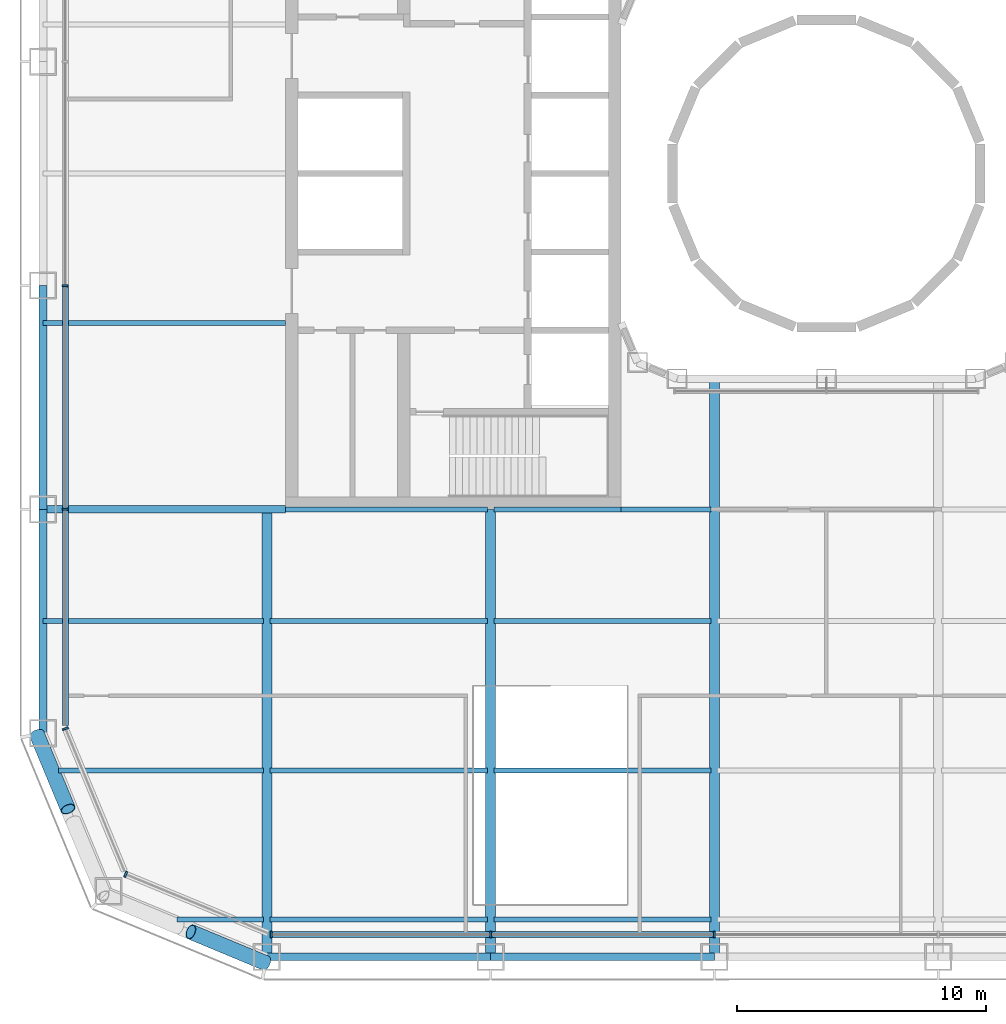
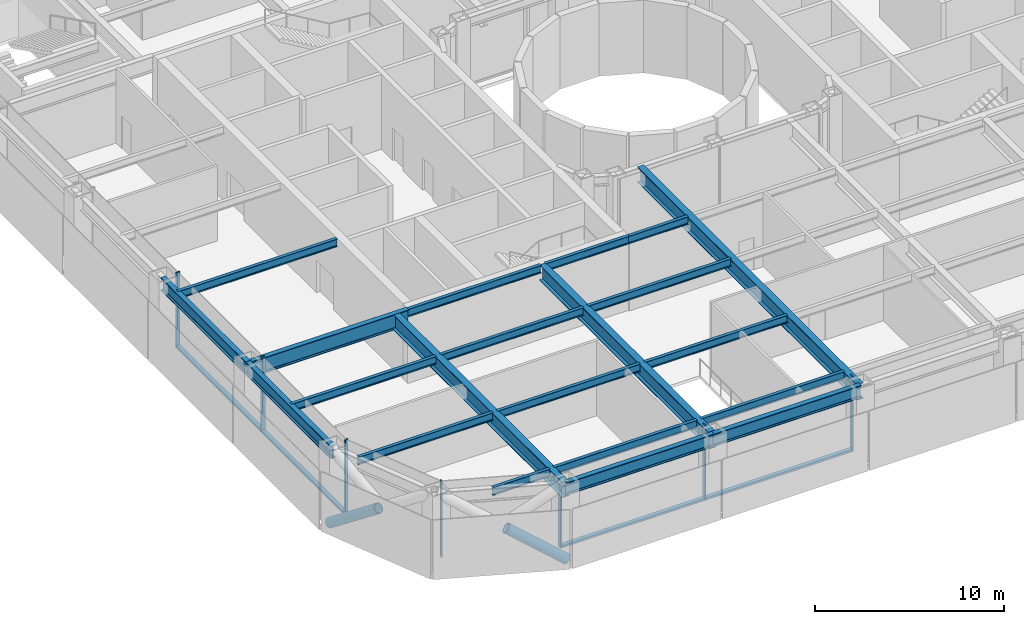
# One storey, part 2 of 24: 21 beams, 13 members, 4 elements without a shape of their own.
"""IFC4 building model written with IfcOpenShell, lengths in metres."""

from ifc_helpers import new_model, si_unit, direction, frame, origin, origin_2d, place, context, subcontext, project, spatial, rectangle, hollow_circle, i_section, extrude, material, layer, layer_set, material_profile, profile_set, type_object, element, aggregate, save


model = new_model("IFC4")

# Units and contexts
model_context = context("Model", 3, precision=1e-05, world=origin(), true_north=direction((0.0, 1.0)))
body_context = subcontext(model_context, "Body", "Model", "MODEL_VIEW")
ifc_project = project(units=[si_unit("LENGTHUNIT", "METRE"), si_unit("AREAUNIT", "SQUARE_METRE"), si_unit("VOLUMEUNIT", "CUBIC_METRE"), si_unit("PLANEANGLEUNIT", "RADIAN"), si_unit("MASSUNIT", "GRAM", prefix="KILO")], contexts=[model_context])

# Site, building, storey
site_placement = place(None, origin())
site = spatial("IfcSite", under=ifc_project, at=site_placement, CompositionType="ELEMENT")
building_placement = place(site_placement, origin())
building = spatial("IfcBuilding", under=site, at=building_placement, Name="Siwar Civic Tower", CompositionType="ELEMENT")
storey_placement = place(building_placement, frame((0.0, 0.0, 12.199951171875)))
storey = spatial("IfcBuildingStorey", under=building, at=storey_placement, Name="L02", CompositionType="ELEMENT", Elevation=12.199951171875)

# Curtain wall, members
ifc_material_1 = material(Name="Aluminium and glass", Category="aluminium")
ifc_layer_1 = layer(ifc_material_1, 0.25)
ifc_layer_set_1 = layer_set([ifc_layer_1], Name="Aluminium and glass")
curtain_wall_type_1 = type_object("IfcCurtainWallType", Name="ENV-CW-H", PredefinedType="NOTDEFINED", material=ifc_layer_set_1)
curtain_wall_1_placement = place(storey_placement, origin())
curtain_wall_1 = element("IfcCurtainWall", 1, at=curtain_wall_1_placement, inside=storey, type_object=curtain_wall_type_1, Name="Curtain wall H S", PredefinedType="NOTDEFINED")
ifc_material_2 = material(Name="Aluminium 6063-T6", Category="aluminium")
ifc_material_profile_1 = material_profile(ifc_material_2, rectangle(XDim=0.25, YDim=0.080078125, at=origin_2d()), Name="AL 250x80")
ifc_profile_set_1 = profile_set([ifc_material_profile_1], Name="Aluminium 6063-T6")
member_type_1 = type_object("IfcMemberType", Name="ENV-MULLION-H", PredefinedType="MULLION", material=ifc_profile_set_1)
member_1_placement = place(storey_placement, frame((-22.321044921875, -30.60009765625, 0.0), z_axis=(0.0, 0.0, 1.0), x_axis=(0.0, 1.0, 0.0)))
member_1 = element("IfcMember", 2, at=member_1_placement, type_object=member_type_1, Name="Mullion H S 1", PredefinedType="MULLION", context=body_context, shape_type="SweptSolid", body=[
    extrude(rectangle(XDim=0.25, YDim=0.080078125, at=origin_2d()), origin(), (0.0, 0.0, 1.0), 4.85009765625),
])
member_2_placement = place(storey_placement, frame((-13.5, -30.60009765625, 0.0), z_axis=(0.0, 0.0, 1.0), x_axis=(0.0, 1.0, 0.0)))
member_2 = element("IfcMember", 3, at=member_2_placement, type_object=member_type_1, Name="Mullion H S 2", PredefinedType="MULLION", context=body_context, shape_type="SweptSolid", body=[
    extrude(rectangle(XDim=0.25, YDim=0.080078125, at=origin_2d()), origin(), (0.0, 0.0, 1.0), 4.85009765625),
])
member_3_placement = place(storey_placement, frame((-4.5, -30.60009765625, 0.0), z_axis=(0.0, 0.0, 1.0), x_axis=(0.0, 1.0, 0.0)))
member_3 = element("IfcMember", 4, at=member_3_placement, type_object=member_type_1, Name="Mullion H S 3", PredefinedType="MULLION", context=body_context, shape_type="SweptSolid", body=[
    extrude(rectangle(XDim=0.25, YDim=0.080078125, at=origin_2d()), origin(), (0.0, 0.0, 1.0), 4.85009765625),
])

curtain_wall_2_placement = place(storey_placement, origin())
curtain_wall_2 = element("IfcCurtainWall", 5, at=curtain_wall_2_placement, inside=storey, type_object=curtain_wall_type_1, Name="Curtain wall H W", PredefinedType="NOTDEFINED")
member_4_placement = place(storey_placement, frame((-30.60009765625, -4.5, 0.0), z_axis=(0.0, 0.0, 1.0), x_axis=(1.0, 0.0, 0.0)))
member_4 = element("IfcMember", 6, at=member_4_placement, type_object=member_type_1, Name="Mullion H W 4", PredefinedType="MULLION", context=body_context, shape_type="SweptSolid", body=[
    extrude(rectangle(XDim=0.25, YDim=0.080078125, at=origin_2d()), origin(), (0.0, 0.0, 1.0), 4.85009765625),
])
member_5_placement = place(storey_placement, frame((-30.60009765625, -13.5, 0.0), z_axis=(0.0, 0.0, 1.0), x_axis=(1.0, 0.0, 0.0)))
member_5 = element("IfcMember", 7, at=member_5_placement, type_object=member_type_1, Name="Mullion H W 5", PredefinedType="MULLION", context=body_context, shape_type="SweptSolid", body=[
    extrude(rectangle(XDim=0.25, YDim=0.080078125, at=origin_2d()), origin(), (0.0, 0.0, 1.0), 4.85009765625),
])

# Curtain wall, member
ifc_material_3 = material(Name="Aluminium clad insulated panel", Category="aluminium")
ifc_layer_2 = layer(ifc_material_3, 0.25)
ifc_layer_set_2 = layer_set([ifc_layer_2], Name="Aluminium clad insulated panel")
curtain_wall_type_2 = type_object("IfcCurtainWallType", Name="ENV-CW-HX", PredefinedType="NOTDEFINED", material=ifc_layer_set_2)
curtain_wall_3_placement = place(storey_placement, origin())
curtain_wall_3 = element("IfcCurtainWall", 8, at=curtain_wall_3_placement, inside=storey, type_object=curtain_wall_type_2, Name="Curtain wall H SW1", PredefinedType="NOTDEFINED")
member_6_placement = place(storey_placement, frame((-30.60009765625, -22.321044921875, 0.0), z_axis=(0.0, 0.0, 1.0), x_axis=(0.923879532511, 0.382683432365, 0.0)))
member_6 = element("IfcMember", 9, at=member_6_placement, type_object=member_type_1, Name="Mullion H SW1 1", PredefinedType="MULLION", context=body_context, shape_type="SweptSolid", body=[
    extrude(rectangle(XDim=0.25, YDim=0.080078125, at=origin_2d()), origin(), (0.0, 0.0, 1.0), 4.85009765625),
])
aggregate(curtain_wall_3, [member_6])

curtain_wall_4_placement = place(storey_placement, origin())
curtain_wall_4 = element("IfcCurtainWall", 10, at=curtain_wall_4_placement, inside=storey, type_object=curtain_wall_type_2, Name="Curtain wall H SW2", PredefinedType="NOTDEFINED")
member_7_placement = place(storey_placement, frame((-28.175048828125, -28.175048828125, 0.0), z_axis=(0.0, 0.0, 1.0), x_axis=(0.382683432365, 0.923879532511, 0.0)))
member_7 = element("IfcMember", 11, at=member_7_placement, type_object=member_type_1, Name="Mullion H SW2 1", PredefinedType="MULLION", context=body_context, shape_type="SweptSolid", body=[
    extrude(rectangle(XDim=0.25, YDim=0.080078125, at=origin_2d()), origin(), (0.0, 0.0, 1.0), 4.85009765625),
])
aggregate(curtain_wall_4, [member_7])

# Member
ifc_material_4 = material(Name="Aluminium 6063-T6", Category="aluminium")
ifc_material_profile_2 = material_profile(ifc_material_4, rectangle(XDim=0.25, YDim=0.139892578125, at=origin_2d()), Name="AL 250x140")
ifc_profile_set_2 = profile_set([ifc_material_profile_2], Name="Aluminium 6063-T6")
member_type_2 = type_object("IfcMemberType", Name="ENV-TRANSOM-H", PredefinedType="USERDEFINED", material=ifc_profile_set_2)
member_8_placement = place(storey_placement, frame((-22.281005859375, -30.60009765625, 0.070068359375), z_axis=(1.0, 0.0, 0.0), x_axis=(0.0, 1.0, 0.0)))
member_8 = element("IfcMember", 12, at=member_8_placement, type_object=member_type_2, Name="Transom H S 1", ObjectType="TRANSOM", PredefinedType="USERDEFINED", context=body_context, shape_type="SweptSolid", body=[
    extrude(rectangle(XDim=0.25, YDim=0.139892578125, at=origin_2d()), origin(), (0.0, 0.0, 1.0), 8.740966796875),
])

member_9_placement = place(storey_placement, frame((-13.4599609375, -30.60009765625, 0.070068359375), z_axis=(1.0, 0.0, 0.0), x_axis=(0.0, 1.0, 0.0)))
member_9 = element("IfcMember", 13, at=member_9_placement, type_object=member_type_2, Name="Transom H S 2", ObjectType="TRANSOM", PredefinedType="USERDEFINED", context=body_context, shape_type="SweptSolid", body=[
    extrude(rectangle(XDim=0.25, YDim=0.139892578125, at=origin_2d()), origin(), (0.0, 0.0, 1.0), 8.919921875),
])

aggregate(curtain_wall_1, [member_1, member_2, member_3, member_8, member_9])

member_10_placement = place(storey_placement, frame((-30.60009765625, -4.5400390625, 0.070068359375), z_axis=(0.0, -1.0, 0.0), x_axis=(1.0, 0.0, 0.0)))
member_10 = element("IfcMember", 14, at=member_10_placement, type_object=member_type_2, Name="Transom H W 4", ObjectType="TRANSOM", PredefinedType="USERDEFINED", context=body_context, shape_type="SweptSolid", body=[
    extrude(rectangle(XDim=0.25, YDim=0.139892578125, at=origin_2d()), origin(), (0.0, 0.0, 1.0), 8.919921875),
])

member_11_placement = place(storey_placement, frame((-30.60009765625, -13.5400390625, 0.070068359375), z_axis=(0.0, -1.0, 0.0), x_axis=(1.0, 0.0, 0.0)))
member_11 = element("IfcMember", 15, at=member_11_placement, type_object=member_type_2, Name="Transom H W 5", ObjectType="TRANSOM", PredefinedType="USERDEFINED", context=body_context, shape_type="SweptSolid", body=[
    extrude(rectangle(XDim=0.25, YDim=0.139892578125, at=origin_2d()), origin(), (0.0, 0.0, 1.0), 8.644287109375),
])

aggregate(curtain_wall_2, [member_4, member_5, member_10, member_11])

# Members
ifc_material_5 = material(Name="Steel S355", Category="steel")
ifc_material_profile_3 = material_profile(ifc_material_5, hollow_circle(Radius=0.304931640625, WallThickness=0.030029296875, at=origin_2d()), Name="CHS610x30")
ifc_profile_set_3 = profile_set([ifc_material_profile_3], Name="Steel S355")
member_type_3 = type_object("IfcMemberType", Name="STR-BR-CHS610x30", PredefinedType="BRACE", material=ifc_profile_set_3)
for number, where, z_axis, x_axis, name in (
    (16, (-22.548828125, -31.7451171875, 0.0), (-0.752340560323, 0.313373422739, 0.5794659431), (-0.384508939914, -0.923121267833, 0.0), "L02/brc/ASW1-1-0-2"),
    (17, (-31.7451171875, -22.548828125, 0.0), (0.313373422739, -0.752340560323, 0.5794659431), (0.923121267833, 0.384508939914, 0.0), "L02/brc/ASW1-1-0-4"),
):
    element("IfcMember", number, at=place(storey_placement, frame(where, z_axis=z_axis, x_axis=x_axis)), inside=storey, type_object=member_type_3, Name=name, PredefinedType="BRACE", context=body_context, shape_type="SweptSolid", body=[
        extrude(hollow_circle(Radius=0.304931640625, WallThickness=0.030029296875, at=origin_2d()), origin(), (0.0, 0.0, 1.0), 3.99658203125),
    ])

# Beams
ifc_material_6 = material(Name="Steel S355", Category="steel")
ifc_material_profile_4 = material_profile(ifc_material_6, i_section(OverallWidth=0.199951171875, OverallDepth=0.5, WebThickness=0.01025390625, FlangeThickness=0.01611328125, FilletRadius=0.02099609375, at=origin_2d()), Name="IPE500")
ifc_profile_set_4 = profile_set([ifc_material_profile_4], Name="Steel S355")
beam_type_1 = type_object("IfcBeamType", Name="STR-FB-IPE500", PredefinedType="JOIST", material=ifc_profile_set_4)
beam_1_placement = place(storey_placement, frame((-26.121337890625, -30.0, 4.60009765625), z_axis=(1.0, 0.0, 0.0), x_axis=(0.0, 1.0, 0.0)))
element("IfcBeam", 18, at=beam_1_placement, inside=storey, type_object=beam_type_1, Name="L02/bm/F001", PredefinedType="JOIST", context=body_context, shape_type="SweptSolid", body=[
    extrude(i_section(OverallWidth=0.199951171875, OverallDepth=0.5, WebThickness=0.01025390625, FlangeThickness=0.01611328125, FilletRadius=0.02099609375, at=origin_2d()), origin(), (0.0, 0.0, 1.0), 3.491455078125),
])
for number, where, z_axis, x_axis, name in (
    (19, (-22.3701171875, -30.0, 4.60009765625), (1.0, 0.0, 0.0), (0.0, 1.0, 0.0), "L02/bm/F002"),
    (20, (-13.3701171875, -30.0, 4.60009765625), (1.0, 0.0, 0.0), (0.0, 1.0, 0.0), "L02/bm/F003"),
):
    element("IfcBeam", number, at=place(storey_placement, frame(where, z_axis=z_axis, x_axis=x_axis)), inside=storey, type_object=beam_type_1, Name=name, PredefinedType="JOIST", context=body_context, shape_type="SweptSolid", body=[
        extrude(i_section(OverallWidth=0.199951171875, OverallDepth=0.5, WebThickness=0.01025390625, FlangeThickness=0.01611328125, FilletRadius=0.02099609375, at=origin_2d()), origin(), (0.0, 0.0, 1.0), 8.740234375),
    ])
beam_2_placement = place(storey_placement, frame((-30.878662109375, -24.0, 4.60009765625), z_axis=(1.0, 0.0, 0.0), x_axis=(0.0, 1.0, 0.0)))
element("IfcBeam", 21, at=beam_2_placement, inside=storey, type_object=beam_type_1, Name="L02/bm/F008", PredefinedType="JOIST", context=body_context, shape_type="SweptSolid", body=[
    extrude(i_section(OverallWidth=0.199951171875, OverallDepth=0.5, WebThickness=0.01025390625, FlangeThickness=0.01611328125, FilletRadius=0.02099609375, at=origin_2d()), origin(), (0.0, 0.0, 1.0), 8.248779296875),
])
for number, where, z_axis, x_axis, name in (
    (22, (-22.3701171875, -24.0, 4.60009765625), (1.0, 0.0, 0.0), (0.0, 1.0, 0.0), "L02/bm/F009"),
    (23, (-13.3701171875, -24.0, 4.60009765625), (1.0, 0.0, 0.0), (0.0, 1.0, 0.0), "L02/bm/F010"),
):
    element("IfcBeam", number, at=place(storey_placement, frame(where, z_axis=z_axis, x_axis=x_axis)), inside=storey, type_object=beam_type_1, Name=name, PredefinedType="JOIST", context=body_context, shape_type="SweptSolid", body=[
        extrude(i_section(OverallWidth=0.199951171875, OverallDepth=0.5, WebThickness=0.01025390625, FlangeThickness=0.01611328125, FilletRadius=0.02099609375, at=origin_2d()), origin(), (0.0, 0.0, 1.0), 8.740234375),
    ])
beam_3_placement = place(storey_placement, frame((-31.5, -18.0, 4.60009765625), z_axis=(1.0, 0.0, 0.0), x_axis=(0.0, 1.0, 0.0)))
element("IfcBeam", 24, at=beam_3_placement, inside=storey, type_object=beam_type_1, Name="L02/bm/F014", PredefinedType="JOIST", context=body_context, shape_type="SweptSolid", body=[
    extrude(i_section(OverallWidth=0.199951171875, OverallDepth=0.5, WebThickness=0.01025390625, FlangeThickness=0.01611328125, FilletRadius=0.02099609375, at=origin_2d()), origin(), (0.0, 0.0, 1.0), 8.8701171875),
])
for number, where, z_axis, x_axis, name in (
    (25, (-22.3701171875, -18.0, 4.60009765625), (1.0, 0.0, 0.0), (0.0, 1.0, 0.0), "L02/bm/F015"),
    (26, (-13.3701171875, -18.0, 4.60009765625), (1.0, 0.0, 0.0), (0.0, 1.0, 0.0), "L02/bm/F016"),
):
    element("IfcBeam", number, at=place(storey_placement, frame(where, z_axis=z_axis, x_axis=x_axis)), inside=storey, type_object=beam_type_1, Name=name, PredefinedType="JOIST", context=body_context, shape_type="SweptSolid", body=[
        extrude(i_section(OverallWidth=0.199951171875, OverallDepth=0.5, WebThickness=0.01025390625, FlangeThickness=0.01611328125, FilletRadius=0.02099609375, at=origin_2d()), origin(), (0.0, 0.0, 1.0), 8.740234375),
    ])
beam_4_placement = place(storey_placement, frame((-21.75, -13.5, 4.60009765625), z_axis=(1.0, 0.0, 0.0), x_axis=(0.0, 1.0, 0.0)))
element("IfcBeam", 27, at=beam_4_placement, inside=storey, type_object=beam_type_1, Name="L02/bm/F021", PredefinedType="JOIST", context=body_context, shape_type="SweptSolid", body=[
    extrude(i_section(OverallWidth=0.199951171875, OverallDepth=0.5, WebThickness=0.01025390625, FlangeThickness=0.01611328125, FilletRadius=0.02099609375, at=origin_2d()), origin(), (0.0, 0.0, 1.0), 8.1201171875),
])
beam_5_placement = place(storey_placement, frame((-13.3701171875, -13.5, 4.60009765625), z_axis=(1.0, 0.0, 0.0), x_axis=(0.0, 1.0, 0.0)))
element("IfcBeam", 28, at=beam_5_placement, inside=storey, type_object=beam_type_1, Name="L02/bm/F022", PredefinedType="JOIST", context=body_context, shape_type="SweptSolid", body=[
    extrude(i_section(OverallWidth=0.199951171875, OverallDepth=0.5, WebThickness=0.01025390625, FlangeThickness=0.01611328125, FilletRadius=0.02099609375, at=origin_2d()), origin(), (0.0, 0.0, 1.0), 5.1201171875),
])
beam_6_placement = place(storey_placement, frame((-8.25, -13.5, 4.60009765625), z_axis=(1.0, 0.0, 0.0), x_axis=(0.0, 1.0, 0.0)))
element("IfcBeam", 29, at=beam_6_placement, inside=storey, type_object=beam_type_1, Name="L02/bm/F023", PredefinedType="JOIST", context=body_context, shape_type="SweptSolid", body=[
    extrude(i_section(OverallWidth=0.199951171875, OverallDepth=0.5, WebThickness=0.01025390625, FlangeThickness=0.01611328125, FilletRadius=0.02099609375, at=origin_2d()), origin(), (0.0, 0.0, 1.0), 3.6201171875),
])
beam_7_placement = place(storey_placement, frame((-31.5, -6.0, 4.60009765625), z_axis=(1.0, 0.0, 0.0), x_axis=(0.0, 1.0, 0.0)))
element("IfcBeam", 30, at=beam_7_placement, inside=storey, type_object=beam_type_1, Name="L02/bm/F029", PredefinedType="JOIST", context=body_context, shape_type="SweptSolid", body=[
    extrude(i_section(OverallWidth=0.199951171875, OverallDepth=0.5, WebThickness=0.01025390625, FlangeThickness=0.01611328125, FilletRadius=0.02099609375, at=origin_2d()), origin(), (0.0, 0.0, 1.0), 9.75),
])
ifc_material_7 = material(Name="Steel S355", Category="steel")
ifc_material_profile_5 = material_profile(ifc_material_7, i_section(OverallWidth=0.300048828125, OverallDepth=1.0, WebThickness=0.01904296875, FlangeThickness=0.035888671875, FilletRadius=0.030029296875, at=origin_2d()), Name="HEB1000")
ifc_profile_set_5 = profile_set([ifc_material_profile_5], Name="Steel S355")
beam_type_2 = type_object("IfcBeamType", Name="STR-PG-HEB1000", PredefinedType="BEAM", material=ifc_profile_set_5)
beam_8_placement = place(storey_placement, frame((-31.5, -13.5, 4.35009765625), z_axis=(1.0, 0.0, 0.0), x_axis=(0.0, 1.0, 0.0)))
element("IfcBeam", 31, at=beam_8_placement, inside=storey, type_object=beam_type_2, Name="L02/bm/F020", PredefinedType="BEAM", context=body_context, shape_type="SweptSolid", body=[
    extrude(i_section(OverallWidth=0.300048828125, OverallDepth=1.0, WebThickness=0.01904296875, FlangeThickness=0.035888671875, FilletRadius=0.030029296875, at=origin_2d()), origin(), (0.0, 0.0, 1.0), 9.75),
])
ifc_material_8 = material(Name="Steel S355", Category="steel")
ifc_material_profile_6 = material_profile(ifc_material_8, i_section(OverallWidth=0.39990234375, OverallDepth=1.0, WebThickness=0.01611328125, FlangeThickness=0.0400390625, at=origin_2d()), Name="PG1000x400x16x40")
ifc_profile_set_6 = profile_set([ifc_material_profile_6], Name="Steel S355")
beam_type_3 = type_object("IfcBeamType", Name="STR-PG-PG1000x400x16x40", PredefinedType="BEAM", material=ifc_profile_set_6)
for number, where, z_axis, x_axis, name in (
    (32, (-22.5, -31.5, 4.35009765625), (0.0, 1.0, 0.0), (-1.0, 0.0, 0.0), "L02/bm/G01"),
    (33, (-13.5, -31.5, 4.35009765625), (0.0, 1.0, 0.0), (-1.0, 0.0, 0.0), "L02/bm/G03"),
):
    element("IfcBeam", number, at=place(storey_placement, frame(where, z_axis=z_axis, x_axis=x_axis)), inside=storey, type_object=beam_type_3, Name=name, PredefinedType="BEAM", context=body_context, shape_type="SweptSolid", body=[
        extrude(i_section(OverallWidth=0.39990234375, OverallDepth=1.0, WebThickness=0.01611328125, FlangeThickness=0.0400390625, at=origin_2d()), origin(), (0.0, 0.0, 1.0), 18.0),
    ])
beam_9_placement = place(storey_placement, frame((-4.5, -31.5, 4.35009765625), z_axis=(0.0, 1.0, 0.0), x_axis=(-1.0, 0.0, 0.0)))
element("IfcBeam", 34, at=beam_9_placement, inside=storey, type_object=beam_type_3, Name="L02/bm/G05", PredefinedType="BEAM", context=body_context, shape_type="SweptSolid", body=[
    extrude(i_section(OverallWidth=0.39990234375, OverallDepth=1.0, WebThickness=0.01611328125, FlangeThickness=0.0400390625, at=origin_2d()), origin(), (0.0, 0.0, 1.0), 23.25),
])
ifc_material_9 = material(Name="Steel S355", Category="steel")
ifc_material_profile_7 = material_profile(ifc_material_9, i_section(OverallWidth=0.302978515625, OverallDepth=0.81396484375, WebThickness=0.02099609375, FlangeThickness=0.0400390625, FilletRadius=0.030029296875, at=origin_2d()), Name="HEM800")
ifc_profile_set_7 = profile_set([ifc_material_profile_7], Name="Steel S355")
beam_type_4 = type_object("IfcBeamType", Name="STR-SB-HEM800", PredefinedType="BEAM", material=ifc_profile_set_7)
for number, where, z_axis, x_axis, name in (
    (35, (-22.5, -31.5, 4.443115234375), (1.0, 0.0, 0.0), (0.0, 1.0, 0.0), "L02/bm/SS-0"),
    (36, (-13.5, -31.5, 4.443115234375), (1.0, 0.0, 0.0), (0.0, 1.0, 0.0), "L02/bm/SS-1"),
    (37, (-31.5, -4.5, 4.443115234375), (0.0, -1.0, 0.0), (1.0, 0.0, 0.0), "L02/bm/SW-3"),
    (38, (-31.5, -13.5, 4.443115234375), (0.0, -1.0, 0.0), (1.0, 0.0, 0.0), "L02/bm/SW-4"),
):
    element("IfcBeam", number, at=place(storey_placement, frame(where, z_axis=z_axis, x_axis=x_axis)), inside=storey, type_object=beam_type_4, Name=name, PredefinedType="BEAM", context=body_context, shape_type="SweptSolid", body=[
        extrude(i_section(OverallWidth=0.302978515625, OverallDepth=0.81396484375, WebThickness=0.02099609375, FlangeThickness=0.0400390625, FilletRadius=0.030029296875, at=origin_2d()), origin(), (0.0, 0.0, 1.0), 9.0),
    ])

save(model, "model.ifc")
